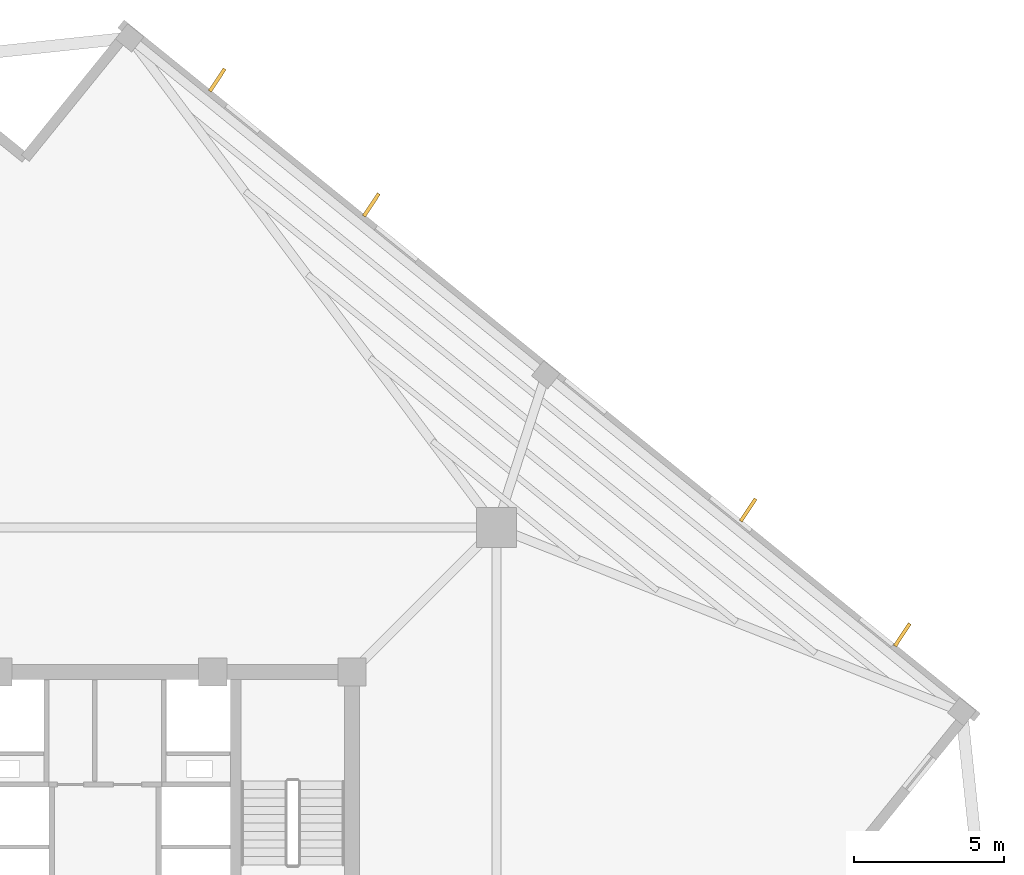
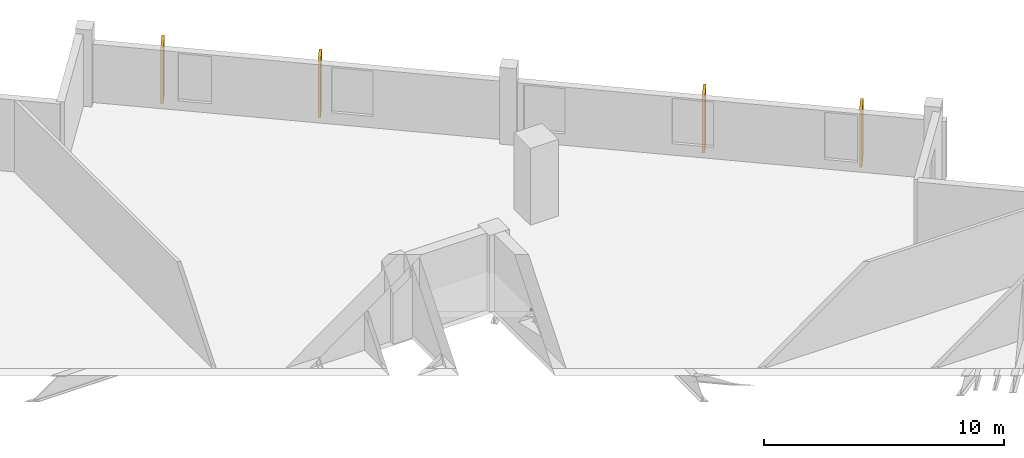
# One storey, part 9 of 9: 4 coverings.
"""IFC4 building model written with IfcOpenShell, lengths in metres."""

from ifc_helpers import new_model, si_unit, direction, frame, origin, origin_2d, place, context, subcontext, project, spatial, rectangle, extrude, source, transform, mapped, material, layer, layer_set, type_object, element, save


model = new_model("IFC4")

# Units and contexts
model_context = context("Model", 3, precision=1e-05, world=origin(), true_north=direction((0.0, 1.0)))
body_context = subcontext(model_context, "Body", "Model", "MODEL_VIEW")
ifc_project = project(units=[si_unit("LENGTHUNIT", "METRE"), si_unit("AREAUNIT", "SQUARE_METRE"), si_unit("VOLUMEUNIT", "CUBIC_METRE"), si_unit("PLANEANGLEUNIT", "RADIAN"), si_unit("MASSUNIT", "GRAM", prefix="KILO"), si_unit("THERMODYNAMICTEMPERATUREUNIT", "KELVIN")], contexts=[model_context])

# Site, building, storey
site_placement = place(None, origin())
site = spatial("IfcSite", under=ifc_project, at=site_placement, CompositionType="ELEMENT")
building_placement = place(site_placement, origin())
building = spatial("IfcBuilding", under=site, at=building_placement, Name="Kosmvard Interchange Tower", CompositionType="ELEMENT")
storey_placement = place(building_placement, frame((0.0, 0.0, 221.199951171875)))
storey = spatial("IfcBuildingStorey", under=building, at=storey_placement, Name="L53", CompositionType="ELEMENT", Elevation=221.199951171875)

# Coverings
ifc_material = material(Name="Architectural anodised aluminium", Category="aluminium")
ifc_layer = layer(ifc_material, 0.1201171875, Name="Architectural anodised aluminium")
ifc_layer_set = layer_set([ifc_layer], Name="Architectural anodised aluminium")
covering_type = type_object("IfcCoveringType", Name="Rotating Vertical Sun-Breaker Fin 900x120 Aluminium", PredefinedType="CLADDING", material=ifc_layer_set)
shared_shape = source(origin(), body_context, "Body", "SweptSolid", [
    extrude(rectangle(XDim=0.89990234375, YDim=0.1201171875, at=origin_2d()), origin(), (0.0, 0.0, 1.0), 2.8798828125),
])
for number, where, z_axis, x_axis, name in (
    (1, (26.650146484375, 9.494384765625, 0.0400390625), (0.0, 0.0, 1.0), (0.550043539327, 0.835135979853, 0.0), "L53 Rotating Vertical Sun-Breaker Fin 05"),
    (2, (21.49658203125, 13.66748046875, 0.0400390625), (0.0, 0.0, 1.0), (0.550043539327, 0.835135979853, 0.0), "L53 Rotating Vertical Sun-Breaker Fin 06"),
    (3, (8.8994140625, 23.86865234375, 0.0400390625), (0.0, 0.0, 1.0), (0.550043539327, 0.835135979853, 0.0), "L53 Rotating Vertical Sun-Breaker Fin 07"),
    (4, (3.74609375, 28.041748046875, 0.0400390625), (0.0, 0.0, 1.0), (0.550043539327, 0.835135979853, 0.0), "L53 Rotating Vertical Sun-Breaker Fin 08"),
):
    element("IfcCovering", number, at=place(storey_placement, frame(where, z_axis=z_axis, x_axis=x_axis)), inside=storey, type_object=covering_type, Name=name, PredefinedType="CLADDING", context=body_context, shape_type="MappedRepresentation", body=[
        mapped(shared_shape, transform((0.0, 0.0, 0.0), scale=1.0)),
    ])

save(model, "model.ifc")
